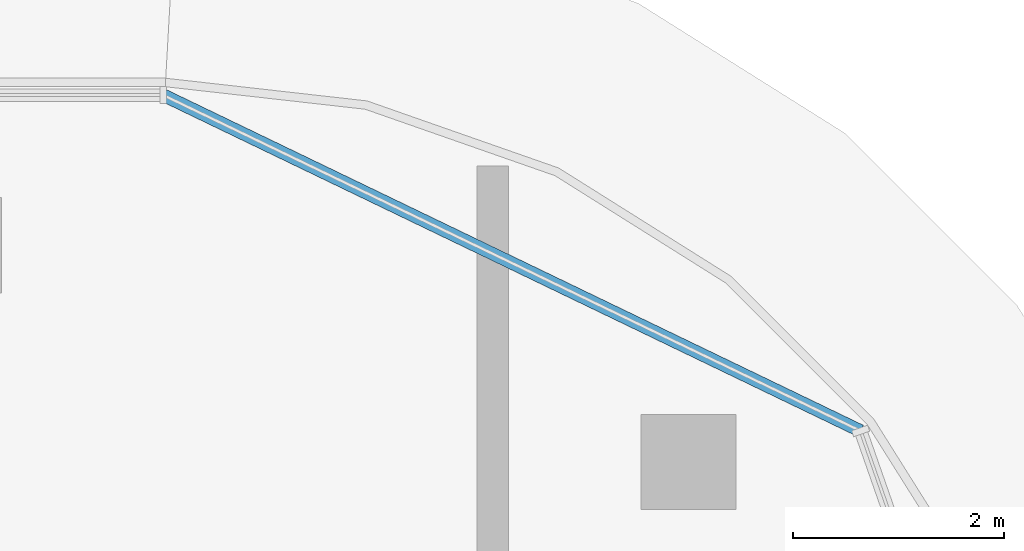
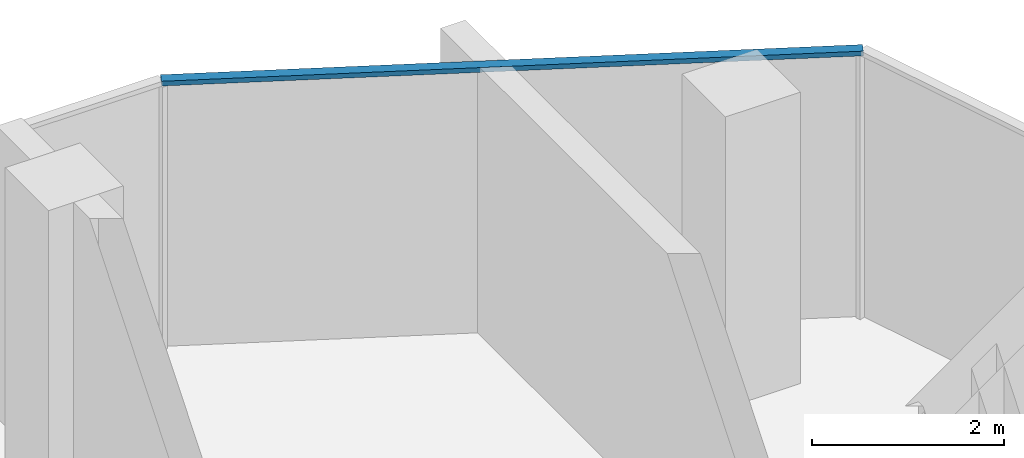
# One storey, part 5 of 21: 1 member, 1 element without a shape of its own.
"""IFC4 building model written with IfcOpenShell, lengths in metres."""

from ifc_helpers import new_model, si_unit, direction, frame, origin, origin_2d, place, context, subcontext, project, spatial, rectangle, extrude, material, material_profile, profile_set, type_object, element, aggregate, save


model = new_model("IFC4")

# Units and contexts
model_context = context("Model", 3, precision=1e-05, world=origin(), true_north=direction((0.0, 1.0)))
body_context = subcontext(model_context, "Body", "Model", "MODEL_VIEW")
ifc_project = project(units=[si_unit("LENGTHUNIT", "METRE"), si_unit("AREAUNIT", "SQUARE_METRE"), si_unit("VOLUMEUNIT", "CUBIC_METRE"), si_unit("PLANEANGLEUNIT", "RADIAN"), si_unit("MASSUNIT", "GRAM", prefix="KILO")], contexts=[model_context])

# Site, building, storey
site_placement = place(None, origin())
site = spatial("IfcSite", under=ifc_project, at=site_placement, CompositionType="ELEMENT")
building_placement = place(site_placement, origin())
building = spatial("IfcBuilding", under=site, at=building_placement, Name="Ogive Portal Towers", CompositionType="ELEMENT")
storey_placement = place(building_placement, frame((0.0, 0.0, 225.39990234375)))
storey = spatial("IfcBuildingStorey", under=building, at=storey_placement, Name="L56", CompositionType="ELEMENT", Elevation=225.39990234375)

# Curtain wall, member
ifc_material_1 = material(Name="Glass, clear low-iron insulated glazing", Category="glass")
curtain_wall_type = type_object("IfcCurtainWallType", Name="CW FRONT RIBBON 4500", PredefinedType="NOTDEFINED", material=ifc_material_1)
curtain_wall_placement = place(storey_placement, origin())
curtain_wall = element("IfcCurtainWall", 1, at=curtain_wall_placement, inside=storey, type_object=curtain_wall_type, Name="A:L56:f10:cwa", PredefinedType="NOTDEFINED")
ifc_material_2 = material(Name="Aluminium 6063 anodised", Category="aluminium")
ifc_material_profile = material_profile(ifc_material_2, rectangle(XDim=0.1201171875, YDim=0.06005859375, at=origin_2d()), Name="AL 120x60")
ifc_profile_set = profile_set([ifc_material_profile], Name="Aluminium 6063 anodised")
member_type = type_object("IfcMemberType", Name="CW TRANSOM 60x120", PredefinedType="USERDEFINED", material=ifc_profile_set)
member_placement = place(storey_placement, frame((94.0810546875, 37.741943359375, 3.3701171875), z_axis=(-0.900974646757, 0.433871738997, 0.0), x_axis=(-0.433871738997, -0.900974646757, 0.0)))
member = element("IfcMember", 2, at=member_placement, type_object=member_type, Name="transom", ObjectType="TRANSOM", PredefinedType="USERDEFINED", context=body_context, shape_type="SweptSolid", body=[
    extrude(rectangle(XDim=0.1201171875, YDim=0.06005859375, at=origin_2d()), origin(), (0.0, 0.0, 1.0), 7.32470703125),
])
aggregate(curtain_wall, [member])

save(model, "model.ifc")
